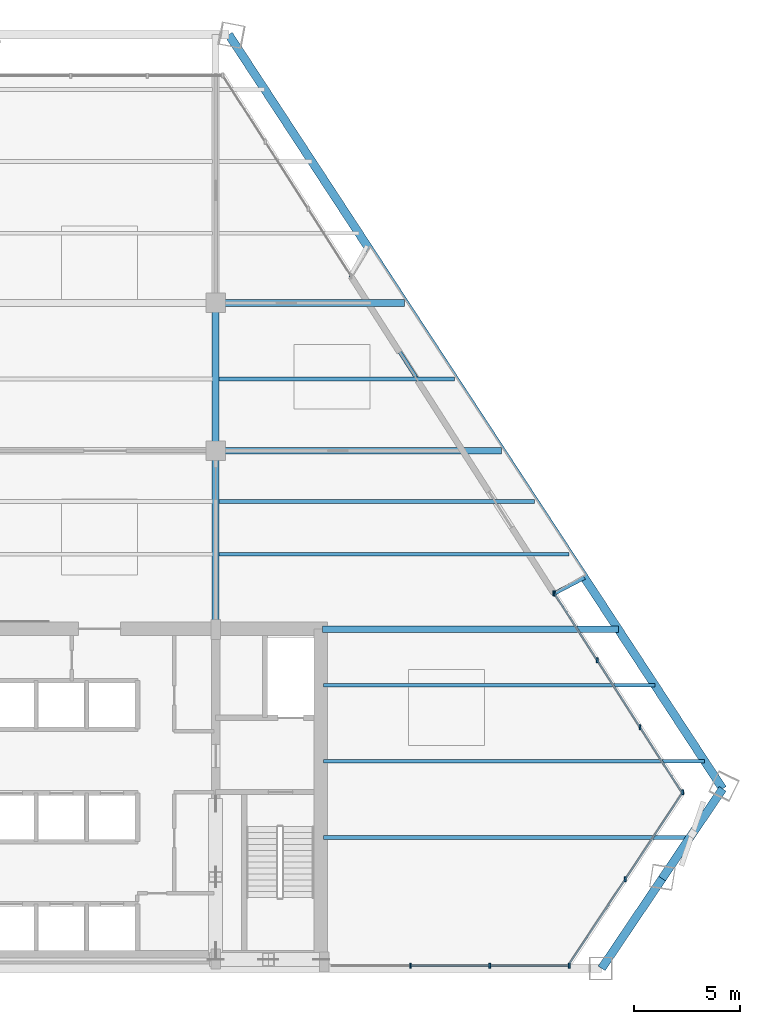
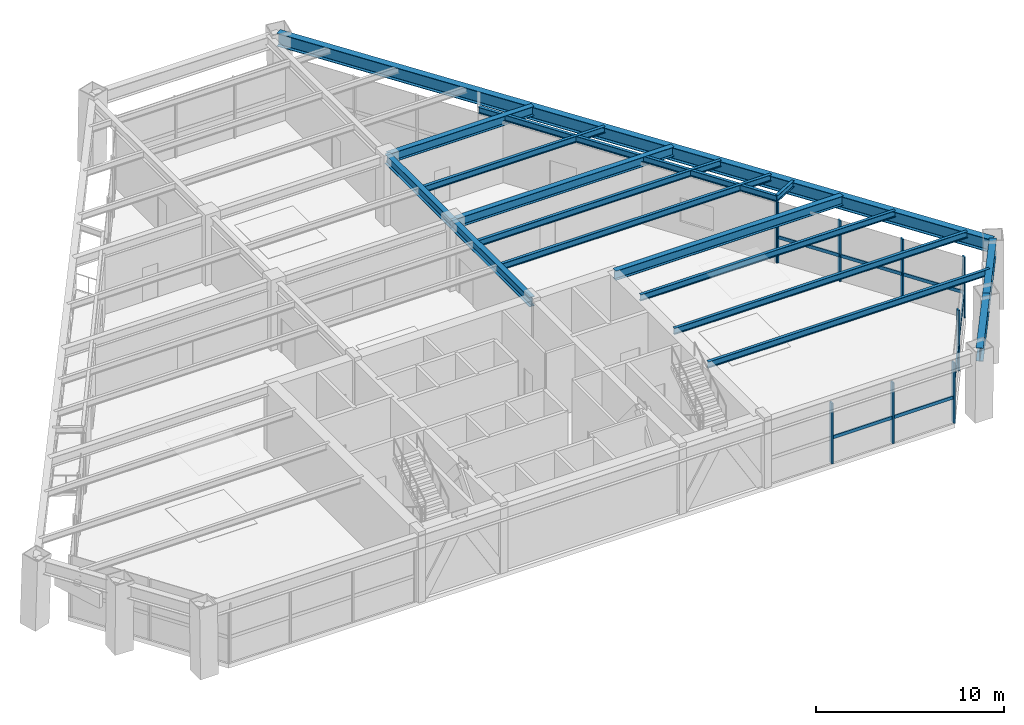
# One storey, part 5 of 12: 16 beams, 16 members, 3 elements without a shape of their own.
"""IFC4 building model written with IfcOpenShell, lengths in metres."""

from ifc_helpers import new_model, si_unit, direction, frame, origin, origin_2d, place, context, subcontext, project, spatial, rectangle, i_section, extrude, source, transform, mapped, material, material_profile, profile_set, type_object, type_shapes, element, aggregate, save


model = new_model("IFC4")

# Units and contexts
model_context = context("Model", 3, precision=1e-05, world=origin(), true_north=direction((0.0, 1.0)))
body_context = subcontext(model_context, "Body", "Model", "MODEL_VIEW")
ifc_project = project(units=[si_unit("LENGTHUNIT", "METRE"), si_unit("AREAUNIT", "SQUARE_METRE"), si_unit("VOLUMEUNIT", "CUBIC_METRE"), si_unit("PLANEANGLEUNIT", "RADIAN"), si_unit("MASSUNIT", "GRAM", prefix="KILO")], contexts=[model_context])

# Site, building, storey
site_placement = place(None, origin())
site = spatial("IfcSite", under=ifc_project, at=site_placement, CompositionType="ELEMENT")
building_placement = place(site_placement, origin())
building = spatial("IfcBuilding", under=site, at=building_placement, Name="Varnakhor Terracotta Tower", CompositionType="ELEMENT")
storey_placement = place(building_placement, frame((0.0, 0.0, 121.0)))
storey = spatial("IfcBuildingStorey", under=building, at=storey_placement, Name="L30", CompositionType="ELEMENT", Elevation=121.0)

# Beams
ifc_material_1 = material(Name="Steel S355", Category="steel")
ifc_material_profile_1 = material_profile(ifc_material_1, i_section(OverallWidth=0.39990234375, OverallDepth=0.85498046875, WebThickness=0.01806640625, FlangeThickness=0.029052734375, FilletRadius=0.01806640625, at=origin_2d()), Name="W33X201")
ifc_profile_set_1 = profile_set([ifc_material_profile_1], Name="Steel S355")
beam_type_1 = type_object("IfcBeamType", Name="BM-W33X201", PredefinedType="BEAM", material=ifc_profile_set_1)
shared_shape_1 = source(origin(), body_context, "Body", "SweptSolid", [
    extrude(i_section(OverallWidth=0.39990234375, OverallDepth=0.85498046875, WebThickness=0.01806640625, FlangeThickness=0.029052734375, FilletRadius=0.01806640625, at=origin_2d()), origin(), (0.0, 0.0, 1.0), 5.126220703125),
])
for number, where, z_axis, x_axis, name in (
    (1, (23.774169921875, 0.0, 3.9423828125), (0.558935337804, 0.82921124459, 0.0), (-0.82921124459, 0.558935337804, 0.0), "L30 Perimeter Spandrel 2"),
    (2, (26.639404296875, 4.250732421875, 3.9423828125), (0.558880516916, 0.829248194337, 0.0), (-0.829248194337, 0.558880516916, 0.0), "L30 Perimeter Spandrel 3"),
):
    element("IfcBeam", number, at=place(storey_placement, frame(where, z_axis=z_axis, x_axis=x_axis)), inside=storey, type_object=beam_type_1, Name=name, PredefinedType="BEAM", context=body_context, shape_type="MappedRepresentation", body=[
        mapped(shared_shape_1, transform((0.0, 0.0, 0.0), scale=1.0)),
    ])
shared_shape_2 = source(origin(), body_context, "Body", "SweptSolid", [
    extrude(i_section(OverallWidth=0.39990234375, OverallDepth=0.85498046875, WebThickness=0.01806640625, FlangeThickness=0.029052734375, FilletRadius=0.01806640625, at=origin_2d()), origin(), (0.0, 0.0, 1.0), 42.670654296875),
])
beam_1_placement = place(storey_placement, frame((29.50439453125, 8.501708984375, 3.9423828125), z_axis=(-0.547903119936, 0.836541792838, 0.0), x_axis=(-0.836541792838, -0.547903119936, 0.0)))
element("IfcBeam", 3, at=beam_1_placement, inside=storey, type_object=beam_type_1, Name="L30 Perimeter Spandrel 4", PredefinedType="BEAM", context=body_context, shape_type="MappedRepresentation", body=[
    mapped(shared_shape_2, transform((0.0, 0.0, 0.0), scale=1.0)),
])
ifc_material_profile_2 = material_profile(ifc_material_1, i_section(OverallWidth=0.179931640625, OverallDepth=0.39990234375, WebThickness=0.008544921875, FlangeThickness=0.013427734375, FilletRadius=0.01806640625, at=origin_2d()), Name="IPE400")
ifc_profile_set_2 = profile_set([ifc_material_profile_2], Name="Steel S355")
beam_type_2 = type_object("IfcBeamType", Name="JST-IPE400", PredefinedType="JOIST", material=ifc_profile_set_2)
shared_shape_3 = source(origin(), body_context, "Body", "SweptSolid", [
    extrude(i_section(OverallWidth=0.179931640625, OverallDepth=0.39990234375, WebThickness=0.008544921875, FlangeThickness=0.013427734375, FilletRadius=0.01806640625, at=origin_2d()), origin(), (0.0, 0.0, 1.0), 17.88232421875),
])
beam_2_placement = place(storey_placement, frame((21.529052734375, 17.7431640625, 4.169921875), z_axis=(-0.538640253565, 0.8425358611, 0.0), x_axis=(-0.8425358611, -0.538640253565, 0.0)))
element("IfcBeam", 4, at=beam_2_placement, inside=storey, type_object=beam_type_2, Name="L30 Loggia Edge Beam 1", PredefinedType="JOIST", context=body_context, shape_type="MappedRepresentation", body=[
    mapped(shared_shape_3, transform((0.0, 0.0, 0.0), scale=1.0)),
])
ifc_material_profile_3 = material_profile(ifc_material_1, i_section(OverallWidth=0.324951171875, OverallDepth=0.615966796875, WebThickness=0.013916015625, FlangeThickness=0.02197265625, FilletRadius=0.01806640625, at=origin_2d()), Name="W24X117")
ifc_profile_set_3 = profile_set([ifc_material_profile_3], Name="Steel S355")
beam_type_3 = type_object("IfcBeamType", Name="BM-W24X117", PredefinedType="BEAM", material=ifc_profile_set_3)
shared_shape_4 = source(origin(), body_context, "Body", "SweptSolid", [
    extrude(i_section(OverallWidth=0.324951171875, OverallDepth=0.615966796875, WebThickness=0.013916015625, FlangeThickness=0.02197265625, FilletRadius=0.01806640625, at=origin_2d()), origin(), (0.0, 0.0, 1.0), 8.449951171875),
])
type_shapes(beam_type_3, [shared_shape_4])
beam_3_placement = place(storey_placement, frame((5.5, 16.050048828125, 4.06201171875), z_axis=(0.0, 1.0, 0.0), x_axis=(-1.0, 0.0, 0.0)))
element("IfcBeam", 5, at=beam_3_placement, inside=storey, type_object=beam_type_3, Name="L30 Primary Girder NS1-E", PredefinedType="BEAM", context=body_context, shape_type="MappedRepresentation", body=[
    mapped(shared_shape_4, transform((0.0, 0.0, 0.0), scale=1.0)),
])
shared_shape_5 = source(origin(), body_context, "Body", "SweptSolid", [
    extrude(i_section(OverallWidth=0.324951171875, OverallDepth=0.615966796875, WebThickness=0.013916015625, FlangeThickness=0.02197265625, FilletRadius=0.01806640625, at=origin_2d()), origin(), (0.0, 0.0, 1.0), 7.0),
])
beam_4_placement = place(storey_placement, frame((5.5, 24.5, 4.06201171875), z_axis=(0.0, 1.0, 0.0), x_axis=(-1.0, 0.0, 0.0)))
element("IfcBeam", 6, at=beam_4_placement, inside=storey, type_object=beam_type_3, Name="L30 Primary Girder NS2-E", PredefinedType="BEAM", context=body_context, shape_type="MappedRepresentation", body=[
    mapped(shared_shape_5, transform((0.0, 0.0, 0.0), scale=1.0)),
])
shared_shape_6 = source(origin(), body_context, "Body", "SweptSolid", [
    extrude(i_section(OverallWidth=0.324951171875, OverallDepth=0.615966796875, WebThickness=0.013916015625, FlangeThickness=0.02197265625, FilletRadius=0.01806640625, at=origin_2d()), origin(), (0.0, 0.0, 1.0), 14.010498046875),
])
beam_5_placement = place(storey_placement, frame((10.550048828125, 16.050048828125, 4.06201171875), z_axis=(1.0, 0.0, 0.0), x_axis=(0.0, 1.0, 0.0)))
element("IfcBeam", 7, at=beam_5_placement, inside=storey, type_object=beam_type_3, Name="L30 Wing Girder E", PredefinedType="BEAM", context=body_context, shape_type="MappedRepresentation", body=[
    mapped(shared_shape_6, transform((0.0, 0.0, 0.0), scale=1.0)),
])
shared_shape_7 = source(origin(), body_context, "Body", "SweptSolid", [
    extrude(i_section(OverallWidth=0.324951171875, OverallDepth=0.615966796875, WebThickness=0.013916015625, FlangeThickness=0.02197265625, FilletRadius=0.01806640625, at=origin_2d()), origin(), (0.0, 0.0, 1.0), 13.526123046875),
])
beam_6_placement = place(storey_placement, frame((5.5, 24.5, 4.06201171875), z_axis=(1.0, 0.0, 0.0), x_axis=(0.0, 1.0, 0.0)))
element("IfcBeam", 8, at=beam_6_placement, inside=storey, type_object=beam_type_3, Name="L30 Primary Girder EW2-3", PredefinedType="BEAM", context=body_context, shape_type="MappedRepresentation", body=[
    mapped(shared_shape_7, transform((0.0, 0.0, 0.0), scale=1.0)),
])
shared_shape_8 = source(origin(), body_context, "Body", "SweptSolid", [
    extrude(i_section(OverallWidth=0.324951171875, OverallDepth=0.615966796875, WebThickness=0.013916015625, FlangeThickness=0.02197265625, FilletRadius=0.01806640625, at=origin_2d()), origin(), (0.0, 0.0, 1.0), 8.94140625),
])
beam_7_placement = place(storey_placement, frame((5.5, 31.5, 4.06201171875), z_axis=(1.0, 0.0, 0.0), x_axis=(0.0, 1.0, 0.0)))
element("IfcBeam", 9, at=beam_7_placement, inside=storey, type_object=beam_type_3, Name="L30 Primary Girder EW3-3", PredefinedType="BEAM", context=body_context, shape_type="MappedRepresentation", body=[
    mapped(shared_shape_8, transform((0.0, 0.0, 0.0), scale=1.0)),
])
ifc_material_profile_4 = material_profile(ifc_material_1, i_section(OverallWidth=0.179931640625, OverallDepth=0.4130859375, WebThickness=0.009765625, FlangeThickness=0.01611328125, FilletRadius=0.01806640625, at=origin_2d()), Name="W16X50")
ifc_profile_set_4 = profile_set([ifc_material_profile_4], Name="Steel S355")
beam_type_4 = type_object("IfcBeamType", Name="JST-W16X50", PredefinedType="JOIST", material=ifc_profile_set_4)
shared_shape_9 = source(origin(), body_context, "Body", "SweptSolid", [
    extrude(i_section(OverallWidth=0.179931640625, OverallDepth=0.4130859375, WebThickness=0.009765625, FlangeThickness=0.01611328125, FilletRadius=0.01806640625, at=origin_2d()), origin(), (0.0, 0.0, 1.0), 17.35302734375),
])
beam_8_placement = place(storey_placement, frame((10.60009765625, 6.199951171875, 4.16357421875), z_axis=(1.0, 0.0, 0.0), x_axis=(0.0, 1.0, 0.0)))
element("IfcBeam", 10, at=beam_8_placement, inside=storey, type_object=beam_type_4, Name="L30 Floor Joist E1", PredefinedType="JOIST", context=body_context, shape_type="MappedRepresentation", body=[
    mapped(shared_shape_9, transform((0.0, 0.0, 0.0), scale=1.0)),
])
shared_shape_10 = source(origin(), body_context, "Body", "SweptSolid", [
    extrude(i_section(OverallWidth=0.179931640625, OverallDepth=0.4130859375, WebThickness=0.009765625, FlangeThickness=0.01611328125, FilletRadius=0.01806640625, at=origin_2d()), origin(), (0.0, 0.0, 1.0), 18.053955078125),
])
beam_9_placement = place(storey_placement, frame((10.60009765625, 9.800048828125, 4.16357421875), z_axis=(1.0, 0.0, 0.0), x_axis=(0.0, 1.0, 0.0)))
element("IfcBeam", 11, at=beam_9_placement, inside=storey, type_object=beam_type_4, Name="L30 Floor Joist E2", PredefinedType="JOIST", context=body_context, shape_type="MappedRepresentation", body=[
    mapped(shared_shape_10, transform((0.0, 0.0, 0.0), scale=1.0)),
])
shared_shape_11 = source(origin(), body_context, "Body", "SweptSolid", [
    extrude(i_section(OverallWidth=0.179931640625, OverallDepth=0.4130859375, WebThickness=0.009765625, FlangeThickness=0.01611328125, FilletRadius=0.01806640625, at=origin_2d()), origin(), (0.0, 0.0, 1.0), 15.696044921875),
])
beam_10_placement = place(storey_placement, frame((10.60009765625, 13.39990234375, 4.16357421875), z_axis=(1.0, 0.0, 0.0), x_axis=(0.0, 1.0, 0.0)))
element("IfcBeam", 12, at=beam_10_placement, inside=storey, type_object=beam_type_4, Name="L30 Floor Joist E3", PredefinedType="JOIST", context=body_context, shape_type="MappedRepresentation", body=[
    mapped(shared_shape_11, transform((0.0, 0.0, 0.0), scale=1.0)),
])
shared_shape_12 = source(origin(), body_context, "Body", "SweptSolid", [
    extrude(i_section(OverallWidth=0.179931640625, OverallDepth=0.4130859375, WebThickness=0.009765625, FlangeThickness=0.01611328125, FilletRadius=0.01806640625, at=origin_2d()), origin(), (0.0, 0.0, 1.0), 16.576904296875),
])
beam_11_placement = place(storey_placement, frame((5.658447265625, 19.60009765625, 4.16357421875), z_axis=(1.0, 0.0, 0.0), x_axis=(0.0, 1.0, 0.0)))
element("IfcBeam", 13, at=beam_11_placement, inside=storey, type_object=beam_type_4, Name="L30 Composite Floor Joist 4-3", PredefinedType="JOIST", context=body_context, shape_type="MappedRepresentation", body=[
    mapped(shared_shape_12, transform((0.0, 0.0, 0.0), scale=1.0)),
])
shared_shape_13 = source(origin(), body_context, "Body", "SweptSolid", [
    extrude(i_section(OverallWidth=0.179931640625, OverallDepth=0.4130859375, WebThickness=0.009765625, FlangeThickness=0.01611328125, FilletRadius=0.01806640625, at=origin_2d()), origin(), (0.0, 0.0, 1.0), 14.939453125),
])
beam_12_placement = place(storey_placement, frame((5.658447265625, 22.10009765625, 4.16357421875), z_axis=(1.0, 0.0, 0.0), x_axis=(0.0, 1.0, 0.0)))
element("IfcBeam", 14, at=beam_12_placement, inside=storey, type_object=beam_type_4, Name="L30 Composite Floor Joist 5-3", PredefinedType="JOIST", context=body_context, shape_type="MappedRepresentation", body=[
    mapped(shared_shape_13, transform((0.0, 0.0, 0.0), scale=1.0)),
])
shared_shape_14 = source(origin(), body_context, "Body", "SweptSolid", [
    extrude(i_section(OverallWidth=0.179931640625, OverallDepth=0.4130859375, WebThickness=0.009765625, FlangeThickness=0.01611328125, FilletRadius=0.01806640625, at=origin_2d()), origin(), (0.0, 0.0, 1.0), 11.140869140625),
])
beam_13_placement = place(storey_placement, frame((5.658447265625, 27.89990234375, 4.16357421875), z_axis=(1.0, 0.0, 0.0), x_axis=(0.0, 1.0, 0.0)))
element("IfcBeam", 15, at=beam_13_placement, inside=storey, type_object=beam_type_4, Name="L30 Composite Floor Joist 6-3", PredefinedType="JOIST", context=body_context, shape_type="MappedRepresentation", body=[
    mapped(shared_shape_14, transform((0.0, 0.0, 0.0), scale=1.0)),
])
shared_shape_15 = source(origin(), body_context, "Body", "SweptSolid", [
    extrude(i_section(OverallWidth=0.179931640625, OverallDepth=0.39990234375, WebThickness=0.008544921875, FlangeThickness=0.013427734375, FilletRadius=0.01806640625, at=origin_2d()), origin(), (0.0, 0.0, 1.0), 1.61572265625),
])
beam_14_placement = place(storey_placement, frame((21.529052734375, 17.7431640625, 4.169921875), z_axis=(0.884609904387, 0.466331767157, 0.0), x_axis=(-0.466331767157, 0.884609904387, 0.0)))
element("IfcBeam", 16, at=beam_14_placement, inside=storey, type_object=beam_type_2, Name="L31 E Loggia Tie Beam 2", PredefinedType="JOIST", context=body_context, shape_type="MappedRepresentation", body=[
    mapped(shared_shape_15, transform((0.0, 0.0, 0.0), scale=1.0)),
])

# Curtain wall, members
ifc_material_2 = material(Name="Anodised Aluminium Curtain Wall System", Category="aluminium")
curtain_wall_type = type_object("IfcCurtainWallType", Name="CW-SYS-SKYLOBBY", PredefinedType="NOTDEFINED", material=ifc_material_2)
curtain_wall_1_placement = place(storey_placement, origin())
curtain_wall_1 = element("IfcCurtainWall", 17, at=curtain_wall_1_placement, inside=storey, type_object=curtain_wall_type, Name="L30 E Facet Curtain Wall 2", PredefinedType="NOTDEFINED")
ifc_material_3 = material(Name="Anodised Aluminium 6063-T6", Category="aluminium")
ifc_material_profile_5 = material_profile(ifc_material_3, rectangle(XDim=0.090087890625, YDim=0.239990234375, at=origin_2d()), Name="ALU MULLION 90x240")
ifc_profile_set_5 = profile_set([ifc_material_profile_5], Name="Anodised Aluminium 6063-T6")
member_type_1 = type_object("IfcMemberType", Name="CWM-05", PredefinedType="MULLION", material=ifc_profile_set_5)
shared_shape_16 = source(origin(), body_context, "Body", "SweptSolid", [
    extrude(rectangle(XDim=0.090087890625, YDim=0.239990234375, at=origin_2d()), origin(), (0.0, 0.0, 1.0), 3.949951171875),
])
type_shapes(member_type_1, [shared_shape_16])
member_1_placement = place(storey_placement, frame((21.539794921875, 17.745849609375, 0.0), z_axis=(0.0, 0.0, 1.0), x_axis=(1.0, 0.0, 0.0)))
member_1 = element("IfcMember", 18, at=member_1_placement, type_object=member_type_1, Name="L30 E Facet Curtain Wall 2 Mullion 1", PredefinedType="MULLION", context=body_context, shape_type="MappedRepresentation", body=[
    mapped(shared_shape_16, transform((0.0, 0.0, 0.0), scale=1.0)),
])
member_2_placement = place(storey_placement, frame((23.565185546875, 14.581787109375, 0.0), z_axis=(0.0, 0.0, 1.0), x_axis=(1.0, 0.0, 0.0)))
member_2 = element("IfcMember", 19, at=member_2_placement, type_object=member_type_1, Name="L30 E Facet Curtain Wall 2 Mullion 2", PredefinedType="MULLION", context=body_context, shape_type="MappedRepresentation", body=[
    mapped(shared_shape_16, transform((0.0, 0.0, 0.0), scale=1.0)),
])
member_3_placement = place(storey_placement, frame((25.5908203125, 11.41796875, 0.0), z_axis=(0.0, 0.0, 1.0), x_axis=(1.0, 0.0, 0.0)))
member_3 = element("IfcMember", 20, at=member_3_placement, type_object=member_type_1, Name="L30 E Facet Curtain Wall 2 Mullion 3", PredefinedType="MULLION", context=body_context, shape_type="MappedRepresentation", body=[
    mapped(shared_shape_16, transform((0.0, 0.0, 0.0), scale=1.0)),
])
member_4_placement = place(storey_placement, frame((21.5068359375, 17.760498046875, 0.0), z_axis=(0.0, 0.0, 1.0), x_axis=(1.0, 0.0, 0.0)))
member_4 = element("IfcMember", 21, at=member_4_placement, type_object=member_type_1, Name="L30 E Loggia Jamb Closure Mullion 2", PredefinedType="MULLION", context=body_context, shape_type="MappedRepresentation", body=[
    mapped(shared_shape_16, transform((0.0, 0.0, 0.0), scale=1.0)),
])

curtain_wall_2_placement = place(storey_placement, origin())
curtain_wall_2 = element("IfcCurtainWall", 22, at=curtain_wall_2_placement, inside=storey, type_object=curtain_wall_type, Name="L30 Facet Curtain Wall 4", PredefinedType="NOTDEFINED")
member_5_placement = place(storey_placement, frame((27.61669921875, 8.334716796875, 0.0), z_axis=(0.0, 0.0, 1.0), x_axis=(1.0, 0.0, 0.0)))
member_5 = element("IfcMember", 23, at=member_5_placement, type_object=member_type_1, Name="L30 Facet Curtain Wall 4 Mullion 1", PredefinedType="MULLION", context=body_context, shape_type="MappedRepresentation", body=[
    mapped(shared_shape_16, transform((0.0, 0.0, 0.0), scale=1.0)),
])
member_6_placement = place(storey_placement, frame((24.889892578125, 4.212890625, 0.0), z_axis=(0.0, 0.0, 1.0), x_axis=(1.0, 0.0, 0.0)))
member_6 = element("IfcMember", 24, at=member_6_placement, type_object=member_type_1, Name="L30 Facet Curtain Wall 4 Mullion 2", PredefinedType="MULLION", context=body_context, shape_type="MappedRepresentation", body=[
    mapped(shared_shape_16, transform((0.0, 0.0, 0.0), scale=1.0)),
])

curtain_wall_3_placement = place(storey_placement, origin())
curtain_wall_3 = element("IfcCurtainWall", 25, at=curtain_wall_3_placement, inside=storey, type_object=curtain_wall_type, Name="L30 South Wing Curtain Wall SSE", PredefinedType="NOTDEFINED")
member_7_placement = place(storey_placement, frame((22.236572265625, 0.1201171875, 0.0), z_axis=(0.0, 0.0, 1.0), x_axis=(1.0, 0.0, 0.0)))
member_7 = element("IfcMember", 26, at=member_7_placement, type_object=member_type_1, Name="L30 South Wing Curtain Wall SSE Mullion 1", PredefinedType="MULLION", context=body_context, shape_type="MappedRepresentation", body=[
    mapped(shared_shape_16, transform((0.0, 0.0, 0.0), scale=1.0)),
])
member_8_placement = place(storey_placement, frame((18.481201171875, 0.1201171875, 0.0), z_axis=(0.0, 0.0, 1.0), x_axis=(1.0, 0.0, 0.0)))
member_8 = element("IfcMember", 27, at=member_8_placement, type_object=member_type_1, Name="L30 South Wing Curtain Wall SSE Mullion 2", PredefinedType="MULLION", context=body_context, shape_type="MappedRepresentation", body=[
    mapped(shared_shape_16, transform((0.0, 0.0, 0.0), scale=1.0)),
])
member_9_placement = place(storey_placement, frame((14.7255859375, 0.1201171875, 0.0), z_axis=(0.0, 0.0, 1.0), x_axis=(1.0, 0.0, 0.0)))
member_9 = element("IfcMember", 28, at=member_9_placement, type_object=member_type_1, Name="L30 South Wing Curtain Wall SSE Mullion 3", PredefinedType="MULLION", context=body_context, shape_type="MappedRepresentation", body=[
    mapped(shared_shape_16, transform((0.0, 0.0, 0.0), scale=1.0)),
])

# Member
ifc_material_profile_6 = material_profile(ifc_material_3, rectangle(XDim=0.090087890625, YDim=0.2099609375, at=origin_2d()), Name="ALU TRANSOM 90x210")
ifc_profile_set_6 = profile_set([ifc_material_profile_6], Name="Anodised Aluminium 6063-T6")
member_type_2 = type_object("IfcMemberType", Name="CWT-05", PredefinedType="USERDEFINED", material=ifc_profile_set_6)
shared_shape_17 = source(origin(), body_context, "Body", "SweptSolid", [
    extrude(rectangle(XDim=0.090087890625, YDim=0.2099609375, at=origin_2d()), origin(), (0.0, 0.0, 1.0), 3.7568359375),
])
member_10_placement = place(storey_placement, frame((21.539794921875, 17.745849609375, 1.658935546875), z_axis=(0.539127458754, -0.842224188217, 0.0), x_axis=(0.842224188217, 0.539127458754, 0.0)))
member_10 = element("IfcMember", 29, at=member_10_placement, type_object=member_type_2, Name="L30 E Facet Curtain Wall 2 Transom 1", ObjectType="TRANSOM", PredefinedType="USERDEFINED", context=body_context, shape_type="MappedRepresentation", body=[
    mapped(shared_shape_17, transform((0.0, 0.0, 0.0), scale=1.0)),
])

member_11_placement = place(storey_placement, frame((23.565185546875, 14.581787109375, 1.658935546875), z_axis=(0.539203063793, -0.842175786874, 0.0), x_axis=(0.842175786874, 0.539203063793, 0.0)))
member_11 = element("IfcMember", 30, at=member_11_placement, type_object=member_type_2, Name="L30 E Facet Curtain Wall 2 Transom 2", ObjectType="TRANSOM", PredefinedType="USERDEFINED", context=body_context, shape_type="MappedRepresentation", body=[
    mapped(shared_shape_17, transform((0.0, 0.0, 0.0), scale=1.0)),
])

shared_shape_18 = source(origin(), body_context, "Body", "SweptSolid", [
    extrude(rectangle(XDim=0.090087890625, YDim=0.2099609375, at=origin_2d()), origin(), (0.0, 0.0, 1.0), 3.756591796875),
])
member_12_placement = place(storey_placement, frame((25.5908203125, 11.41796875, 1.658935546875), z_axis=(0.53915696818, -0.842205297812, 0.0), x_axis=(0.842205297812, 0.53915696818, 0.0)))
member_12 = element("IfcMember", 31, at=member_12_placement, type_object=member_type_2, Name="L30 E Facet Curtain Wall 2 Transom 3", ObjectType="TRANSOM", PredefinedType="USERDEFINED", context=body_context, shape_type="MappedRepresentation", body=[
    mapped(shared_shape_18, transform((0.0, 0.0, 0.0), scale=1.0)),
])

aggregate(curtain_wall_1, [member_1, member_10, member_2, member_11, member_3, member_12, member_4])

shared_shape_19 = source(origin(), body_context, "Body", "SweptSolid", [
    extrude(rectangle(XDim=0.090087890625, YDim=0.2099609375, at=origin_2d()), origin(), (0.0, 0.0, 1.0), 4.942138671875),
])
member_13_placement = place(storey_placement, frame((27.61669921875, 8.334716796875, 1.658935546875), z_axis=(-0.551744127688, -0.834013439677, 0.0), x_axis=(0.834013439677, -0.551744127688, 0.0)))
member_13 = element("IfcMember", 32, at=member_13_placement, type_object=member_type_2, Name="L30 Facet Curtain Wall 4 Transom 1", ObjectType="TRANSOM", PredefinedType="USERDEFINED", context=body_context, shape_type="MappedRepresentation", body=[
    mapped(shared_shape_19, transform((0.0, 0.0, 0.0), scale=1.0)),
])

shared_shape_20 = source(origin(), body_context, "Body", "SweptSolid", [
    extrude(rectangle(XDim=0.090087890625, YDim=0.2099609375, at=origin_2d()), origin(), (0.0, 0.0, 1.0), 4.94189453125),
])
member_14_placement = place(storey_placement, frame((24.889892578125, 4.212890625, 1.658935546875), z_axis=(-0.551766860239, -0.833998400443, 0.0), x_axis=(0.833998400443, -0.551766860239, 0.0)))
member_14 = element("IfcMember", 33, at=member_14_placement, type_object=member_type_2, Name="L30 Facet Curtain Wall 4 Transom 2", ObjectType="TRANSOM", PredefinedType="USERDEFINED", context=body_context, shape_type="MappedRepresentation", body=[
    mapped(shared_shape_20, transform((0.0, 0.0, 0.0), scale=1.0)),
])

aggregate(curtain_wall_2, [member_5, member_13, member_6, member_14])

shared_shape_21 = source(origin(), body_context, "Body", "SweptSolid", [
    extrude(rectangle(XDim=0.090087890625, YDim=0.2099609375, at=origin_2d()), origin(), (0.0, 0.0, 1.0), 3.75537109375),
])
member_15_placement = place(storey_placement, frame((22.236572265625, 0.1201171875, 1.658935546875), z_axis=(-1.0, 0.0, 0.0), x_axis=(0.0, -1.0, 0.0)))
member_15 = element("IfcMember", 34, at=member_15_placement, type_object=member_type_2, Name="L30 South Wing Curtain Wall SSE Transom 1", ObjectType="TRANSOM", PredefinedType="USERDEFINED", context=body_context, shape_type="MappedRepresentation", body=[
    mapped(shared_shape_21, transform((0.0, 0.0, 0.0), scale=1.0)),
])

shared_shape_22 = source(origin(), body_context, "Body", "SweptSolid", [
    extrude(rectangle(XDim=0.090087890625, YDim=0.2099609375, at=origin_2d()), origin(), (0.0, 0.0, 1.0), 3.755615234375),
])
member_16_placement = place(storey_placement, frame((18.481201171875, 0.1201171875, 1.658935546875), z_axis=(-1.0, 0.0, 0.0), x_axis=(0.0, -1.0, 0.0)))
member_16 = element("IfcMember", 35, at=member_16_placement, type_object=member_type_2, Name="L30 South Wing Curtain Wall SSE Transom 2", ObjectType="TRANSOM", PredefinedType="USERDEFINED", context=body_context, shape_type="MappedRepresentation", body=[
    mapped(shared_shape_22, transform((0.0, 0.0, 0.0), scale=1.0)),
])

aggregate(curtain_wall_3, [member_7, member_15, member_8, member_16, member_9])

save(model, "model.ifc")
